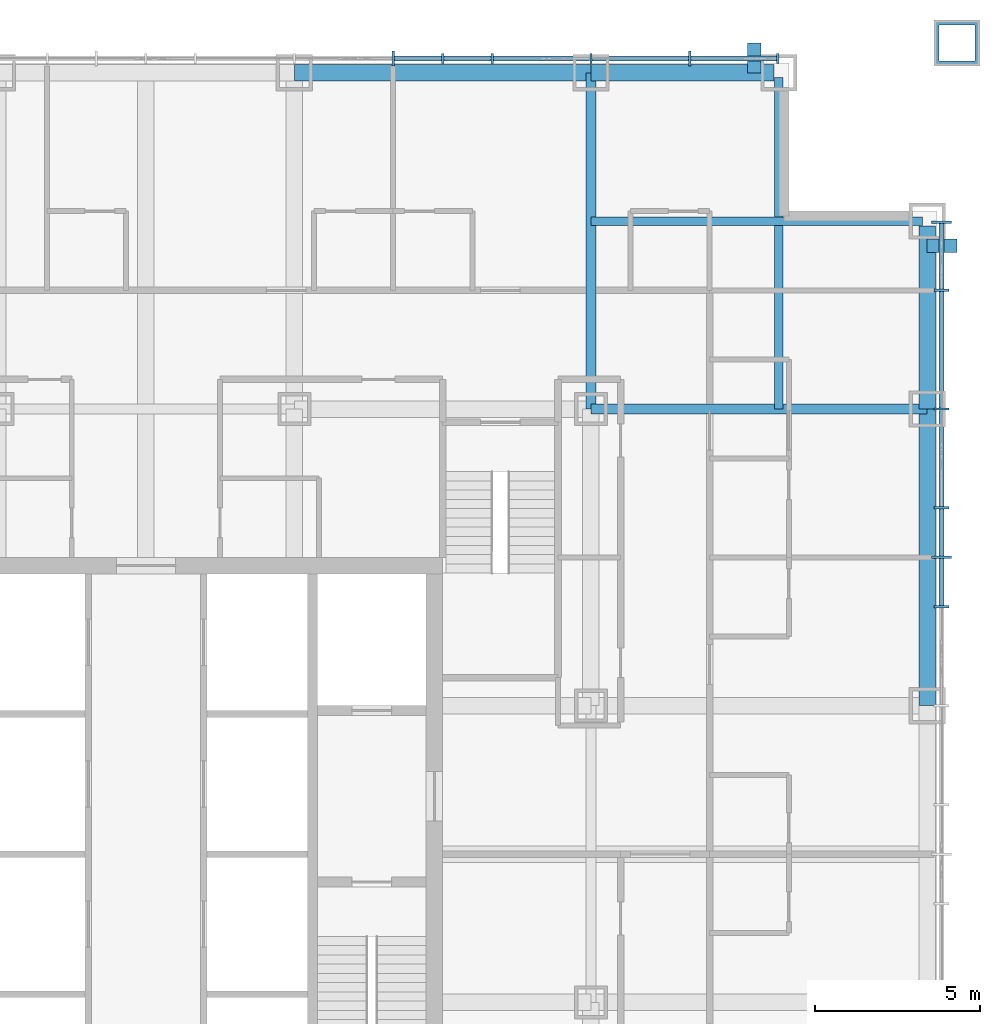
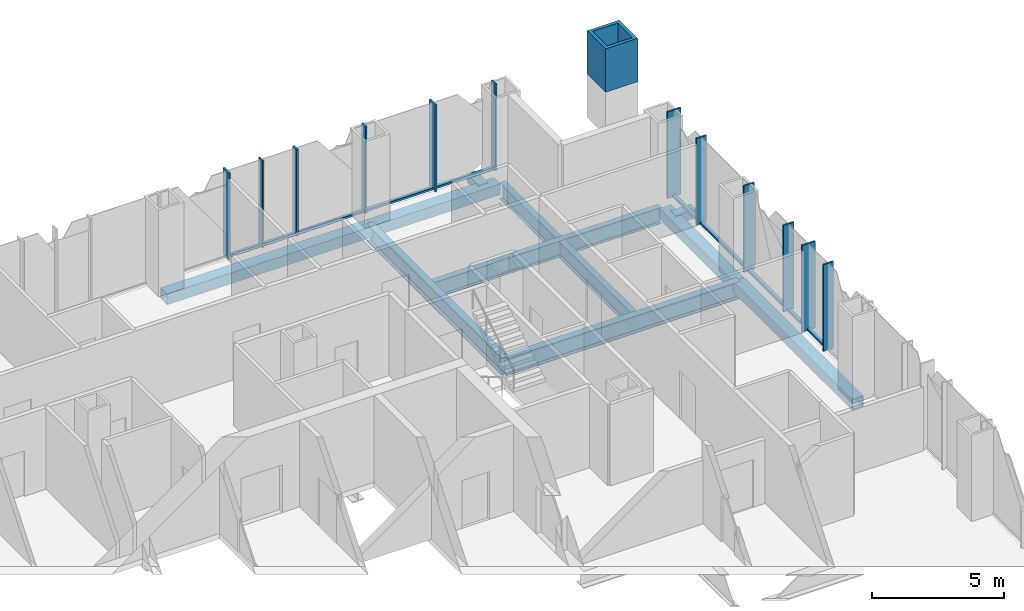
# One storey, part 6 of 23: 25 members, 8 beams, 2 elements without a shape of their own.
"""IFC4 building model written with IfcOpenShell, lengths in metres."""

from ifc_helpers import new_model, si_unit, direction, frame, origin, origin_2d, place, context, subcontext, project, spatial, rectangle, hollow_rectangle, i_section, extrude, material, layer, layer_set, material_profile, profile_set, type_object, element, aggregate, save


model = new_model("IFC4")

# Units and contexts
model_context = context("Model", 3, precision=1e-05, world=origin(), true_north=direction((0.0, 1.0)))
body_context = subcontext(model_context, "Body", "Model", "MODEL_VIEW")
ifc_project = project(units=[si_unit("LENGTHUNIT", "METRE"), si_unit("AREAUNIT", "SQUARE_METRE"), si_unit("VOLUMEUNIT", "CUBIC_METRE"), si_unit("PLANEANGLEUNIT", "RADIAN"), si_unit("MASSUNIT", "GRAM", prefix="KILO")], contexts=[model_context])

# Site, building, storey
site_placement = place(None, origin())
site = spatial("IfcSite", under=ifc_project, at=site_placement, CompositionType="ELEMENT")
building_placement = place(site_placement, origin())
building = spatial("IfcBuilding", under=site, at=building_placement, Name="Malebo Sky Hospital", CompositionType="ELEMENT")
storey_placement = place(building_placement, frame((0.0, 0.0, 168.0)))
storey = spatial("IfcBuildingStorey", under=building, at=storey_placement, Name="L40", CompositionType="ELEMENT", Elevation=168.0)

# Curtain wall, members
ifc_material_1 = material(Name="Anodised aluminium, natural silver", Category="aluminium")
ifc_layer_1 = layer(ifc_material_1, 0.25)
ifc_layer_set_1 = layer_set([ifc_layer_1], Name="WARD CURTAIN WALL NORTH AND SOUTH")
curtain_wall_type_1 = type_object("IfcCurtainWallType", Name="WARD CURTAIN WALL NORTH AND SOUTH", PredefinedType="NOTDEFINED", material=ifc_layer_set_1)
curtain_wall_1_placement = place(storey_placement, origin())
curtain_wall_1 = element("IfcCurtainWall", 1, at=curtain_wall_1_placement, inside=storey, type_object=curtain_wall_type_1, Name="NS curtain wall N", PredefinedType="NOTDEFINED")
ifc_material_profile_1 = material_profile(ifc_material_1, rectangle(XDim=0.14990234375, YDim=0.10009765625, at=origin_2d()), Name="ALUMINIUM TRANSOM 150x100")
ifc_profile_set_1 = profile_set([ifc_material_profile_1], Name="Anodised aluminium, natural silver")
member_type_1 = type_object("IfcMemberType", Name="ALUMINIUM TRANSOM 150x100", PredefinedType="USERDEFINED", material=ifc_profile_set_1)
member_1_placement = place(storey_placement, frame((67.53759765625, 86.135009765625, 0.050048828125), z_axis=(1.0, 0.0, 0.0), x_axis=(0.0, 1.0, 0.0)))
member_1 = element("IfcMember", 2, at=member_1_placement, type_object=member_type_1, Name="Transom 13", ObjectType="TRANSOM", PredefinedType="USERDEFINED", context=body_context, shape_type="SweptSolid", body=[
    extrude(rectangle(XDim=0.14990234375, YDim=0.10009765625, at=origin_2d()), origin(), (0.0, 0.0, 1.0), 1.4248046875),
])
member_2_placement = place(storey_placement, frame((69.03759765625, 86.135009765625, 0.050048828125), z_axis=(1.0, 0.0, 0.0), x_axis=(0.0, 1.0, 0.0)))
member_2 = element("IfcMember", 3, at=member_2_placement, type_object=member_type_1, Name="Transom 14", ObjectType="TRANSOM", PredefinedType="USERDEFINED", context=body_context, shape_type="SweptSolid", body=[
    extrude(rectangle(XDim=0.14990234375, YDim=0.10009765625, at=origin_2d()), origin(), (0.0, 0.0, 1.0), 1.4248046875),
])
member_3_placement = place(storey_placement, frame((70.53759765625, 86.135009765625, 0.050048828125), z_axis=(1.0, 0.0, 0.0), x_axis=(0.0, 1.0, 0.0)))
member_3 = element("IfcMember", 4, at=member_3_placement, type_object=member_type_1, Name="Transom 15", ObjectType="TRANSOM", PredefinedType="USERDEFINED", context=body_context, shape_type="SweptSolid", body=[
    extrude(rectangle(XDim=0.14990234375, YDim=0.10009765625, at=origin_2d()), origin(), (0.0, 0.0, 1.0), 2.9248046875),
])
member_4_placement = place(storey_placement, frame((73.53759765625, 86.135009765625, 0.050048828125), z_axis=(1.0, 0.0, 0.0), x_axis=(0.0, 1.0, 0.0)))
member_4 = element("IfcMember", 5, at=member_4_placement, type_object=member_type_1, Name="Transom 16", ObjectType="TRANSOM", PredefinedType="USERDEFINED", context=body_context, shape_type="SweptSolid", body=[
    extrude(rectangle(XDim=0.14990234375, YDim=0.10009765625, at=origin_2d()), origin(), (0.0, 0.0, 1.0), 2.9248046875),
])
member_5_placement = place(storey_placement, frame((76.53759765625, 86.135009765625, 0.050048828125), z_axis=(1.0, 0.0, 0.0), x_axis=(0.0, 1.0, 0.0)))
member_5 = element("IfcMember", 6, at=member_5_placement, type_object=member_type_1, Name="Transom 17", ObjectType="TRANSOM", PredefinedType="USERDEFINED", context=body_context, shape_type="SweptSolid", body=[
    extrude(rectangle(XDim=0.14990234375, YDim=0.10009765625, at=origin_2d()), origin(), (0.0, 0.0, 1.0), 2.58740234375),
])

ifc_layer_2 = layer(ifc_material_1, 0.25)
ifc_layer_set_2 = layer_set([ifc_layer_2], Name="WARD CURTAIN WALL EAST AND WEST")
curtain_wall_type_2 = type_object("IfcCurtainWallType", Name="WARD CURTAIN WALL EAST AND WEST", PredefinedType="NOTDEFINED", material=ifc_layer_set_2)
curtain_wall_2_placement = place(storey_placement, origin())
curtain_wall_2 = element("IfcCurtainWall", 7, at=curtain_wall_2_placement, inside=storey, type_object=curtain_wall_type_2, Name="EW curtain wall E", PredefinedType="NOTDEFINED")
member_6_placement = place(storey_placement, frame((84.135009765625, 81.125, 0.050048828125), z_axis=(0.0, -1.0, 0.0), x_axis=(1.0, 0.0, 0.0)))
member_6 = element("IfcMember", 8, at=member_6_placement, type_object=member_type_1, Name="Transom 1", ObjectType="TRANSOM", PredefinedType="USERDEFINED", context=body_context, shape_type="SweptSolid", body=[
    extrude(rectangle(XDim=0.14990234375, YDim=0.10009765625, at=origin_2d()), origin(), (0.0, 0.0, 1.0), 1.987548828125),
])
member_7_placement = place(storey_placement, frame((84.135009765625, 79.0625, 0.050048828125), z_axis=(0.0, -1.0, 0.0), x_axis=(1.0, 0.0, 0.0)))
member_7 = element("IfcMember", 9, at=member_7_placement, type_object=member_type_1, Name="Transom 2", ObjectType="TRANSOM", PredefinedType="USERDEFINED", context=body_context, shape_type="SweptSolid", body=[
    extrude(rectangle(XDim=0.14990234375, YDim=0.10009765625, at=origin_2d()), origin(), (0.0, 0.0, 1.0), 3.52490234375),
])
member_8_placement = place(storey_placement, frame((84.135009765625, 75.46240234375, 0.050048828125), z_axis=(0.0, -1.0, 0.0), x_axis=(1.0, 0.0, 0.0)))
member_8 = element("IfcMember", 10, at=member_8_placement, type_object=member_type_1, Name="Transom 3", ObjectType="TRANSOM", PredefinedType="USERDEFINED", context=body_context, shape_type="SweptSolid", body=[
    extrude(rectangle(XDim=0.14990234375, YDim=0.10009765625, at=origin_2d()), origin(), (0.0, 0.0, 1.0), 2.9248046875),
])
member_9_placement = place(storey_placement, frame((84.135009765625, 72.46240234375, 0.050048828125), z_axis=(0.0, -1.0, 0.0), x_axis=(1.0, 0.0, 0.0)))
member_9 = element("IfcMember", 11, at=member_9_placement, type_object=member_type_1, Name="Transom 4", ObjectType="TRANSOM", PredefinedType="USERDEFINED", context=body_context, shape_type="SweptSolid", body=[
    extrude(rectangle(XDim=0.14990234375, YDim=0.10009765625, at=origin_2d()), origin(), (0.0, 0.0, 1.0), 1.4248046875),
])
member_10_placement = place(storey_placement, frame((84.135009765625, 70.96240234375, 0.050048828125), z_axis=(0.0, -1.0, 0.0), x_axis=(1.0, 0.0, 0.0)))
member_10 = element("IfcMember", 12, at=member_10_placement, type_object=member_type_1, Name="Transom 5", ObjectType="TRANSOM", PredefinedType="USERDEFINED", context=body_context, shape_type="SweptSolid", body=[
    extrude(rectangle(XDim=0.14990234375, YDim=0.10009765625, at=origin_2d()), origin(), (0.0, 0.0, 1.0), 1.4248046875),
])

# Members
ifc_material_2 = material(Name="Steel S355", Category="steel")
ifc_material_profile_2 = material_profile(ifc_material_2, hollow_rectangle(XDim=0.39990234375, YDim=0.39990234375, WallThickness=0.02001953125, at=origin_2d()), Name="SHS 400x20")
ifc_profile_set_2 = profile_set([ifc_material_profile_2], Name="Steel S355")
member_type_2 = type_object("IfcMemberType", Name="BRACE STRUT SHS 400x20", PredefinedType="STRUT", material=ifc_profile_set_2)
for number, where, z_axis, x_axis, name in (
    (13, (78.449951171875, 86.60009765625, -0.39990234375), (0.0, -1.0, 0.0), (1.0, 0.0, 0.0), "Brace strut BN2 L40"),
    (14, (84.60009765625, 80.449951171875, -0.39990234375), (-1.0, 0.0, 0.0), (0.0, -1.0, 0.0), "Brace strut BE1 L40"),
):
    element("IfcMember", number, at=place(storey_placement, frame(where, z_axis=z_axis, x_axis=x_axis)), inside=storey, type_object=member_type_2, Name=name, PredefinedType="STRUT", context=body_context, shape_type="SweptSolid", body=[
        extrude(hollow_rectangle(XDim=0.39990234375, YDim=0.39990234375, WallThickness=0.02001953125, at=origin_2d()), origin(), (0.0, 0.0, 1.0), 0.900146484375),
    ])

# Member
ifc_material_profile_3 = material_profile(ifc_material_1, rectangle(XDim=0.074951171875, YDim=0.300048828125, at=origin_2d()), Name="CW1 ALUMINIUM FIN MULLION 75x300")
ifc_profile_set_3 = profile_set([ifc_material_profile_3], Name="Anodised aluminium, natural silver")
member_type_3 = type_object("IfcMemberType", Name="CW1 ALUMINIUM FIN MULLION 75x300", PredefinedType="MULLION", material=ifc_profile_set_3)
member_11_placement = place(storey_placement, frame((69.0, 86.135009765625, 0.0), z_axis=(0.0, 0.0, 1.0), x_axis=(1.0, 0.0, 0.0)))
member_11 = element("IfcMember", 15, at=member_11_placement, type_object=member_type_3, Name="Fin mullion 14", PredefinedType="MULLION", context=body_context, shape_type="SweptSolid", body=[
    extrude(rectangle(XDim=0.074951171875, YDim=0.300048828125, at=origin_2d()), origin(), (0.0, 0.0, 1.0), 4.0),
])

member_12_placement = place(storey_placement, frame((70.5, 86.135009765625, 0.0), z_axis=(0.0, 0.0, 1.0), x_axis=(1.0, 0.0, 0.0)))
member_12 = element("IfcMember", 16, at=member_12_placement, type_object=member_type_3, Name="Fin mullion 15", PredefinedType="MULLION", context=body_context, shape_type="SweptSolid", body=[
    extrude(rectangle(XDim=0.074951171875, YDim=0.300048828125, at=origin_2d()), origin(), (0.0, 0.0, 1.0), 4.0),
])

member_13_placement = place(storey_placement, frame((73.5, 86.135009765625, 0.0), z_axis=(0.0, 0.0, 1.0), x_axis=(1.0, 0.0, 0.0)))
member_13 = element("IfcMember", 17, at=member_13_placement, type_object=member_type_3, Name="Fin mullion 16", PredefinedType="MULLION", context=body_context, shape_type="SweptSolid", body=[
    extrude(rectangle(XDim=0.074951171875, YDim=0.300048828125, at=origin_2d()), origin(), (0.0, 0.0, 1.0), 4.0),
])

member_14_placement = place(storey_placement, frame((79.16259765625, 86.135009765625, 0.0), z_axis=(0.0, 0.0, 1.0), x_axis=(1.0, 0.0, 0.0)))
member_14 = element("IfcMember", 18, at=member_14_placement, type_object=member_type_3, Name="Fin mullion 18", PredefinedType="MULLION", context=body_context, shape_type="SweptSolid", body=[
    extrude(rectangle(XDim=0.074951171875, YDim=0.300048828125, at=origin_2d()), origin(), (0.0, 0.0, 1.0), 4.0),
])

ifc_material_profile_4 = material_profile(ifc_material_1, rectangle(XDim=0.074951171875, YDim=0.449951171875, at=origin_2d()), Name="CW1 ALUMINIUM FIN MULLION 75x450")
ifc_profile_set_4 = profile_set([ifc_material_profile_4], Name="Anodised aluminium, natural silver")
member_type_4 = type_object("IfcMemberType", Name="CW1 ALUMINIUM FIN MULLION 75x450", PredefinedType="MULLION", material=ifc_profile_set_4)
member_15_placement = place(storey_placement, frame((67.5, 86.135009765625, 0.0), z_axis=(0.0, 0.0, 1.0), x_axis=(1.0, 0.0, 0.0)))
member_15 = element("IfcMember", 19, at=member_15_placement, type_object=member_type_4, Name="Fin mullion 13", PredefinedType="MULLION", context=body_context, shape_type="SweptSolid", body=[
    extrude(rectangle(XDim=0.074951171875, YDim=0.449951171875, at=origin_2d()), origin(), (0.0, 0.0, 1.0), 4.0),
])

member_16_placement = place(storey_placement, frame((76.5, 86.135009765625, 0.0), z_axis=(0.0, 0.0, 1.0), x_axis=(1.0, 0.0, 0.0)))
member_16 = element("IfcMember", 20, at=member_16_placement, type_object=member_type_4, Name="Fin mullion 17", PredefinedType="MULLION", context=body_context, shape_type="SweptSolid", body=[
    extrude(rectangle(XDim=0.074951171875, YDim=0.449951171875, at=origin_2d()), origin(), (0.0, 0.0, 1.0), 4.0),
])

aggregate(curtain_wall_1, [member_15, member_11, member_12, member_13, member_16, member_14, member_1, member_2, member_3, member_4, member_5])

ifc_material_profile_5 = material_profile(ifc_material_1, rectangle(XDim=0.074951171875, YDim=0.449951171875, at=origin_2d()), Name="CW2 ALUMINIUM FIN MULLION 75x450")
ifc_profile_set_5 = profile_set([ifc_material_profile_5], Name="Anodised aluminium, natural silver")
member_type_5 = type_object("IfcMemberType", Name="CW2 ALUMINIUM FIN MULLION 75x450", PredefinedType="MULLION", material=ifc_profile_set_5)
member_17_placement = place(storey_placement, frame((84.135009765625, 79.10009765625, 0.0), z_axis=(0.0, 0.0, 1.0), x_axis=(0.0, -1.0, 0.0)))
member_17 = element("IfcMember", 21, at=member_17_placement, type_object=member_type_5, Name="Fin mullion 2", PredefinedType="MULLION", context=body_context, shape_type="SweptSolid", body=[
    extrude(rectangle(XDim=0.074951171875, YDim=0.449951171875, at=origin_2d()), origin(), (0.0, 0.0, 1.0), 4.0),
])

member_18_placement = place(storey_placement, frame((84.135009765625, 75.5, 0.0), z_axis=(0.0, 0.0, 1.0), x_axis=(0.0, -1.0, 0.0)))
member_18 = element("IfcMember", 22, at=member_18_placement, type_object=member_type_5, Name="Fin mullion 3", PredefinedType="MULLION", context=body_context, shape_type="SweptSolid", body=[
    extrude(rectangle(XDim=0.074951171875, YDim=0.449951171875, at=origin_2d()), origin(), (0.0, 0.0, 1.0), 4.0),
])

member_19_placement = place(storey_placement, frame((84.135009765625, 72.5, 0.0), z_axis=(0.0, 0.0, 1.0), x_axis=(0.0, -1.0, 0.0)))
member_19 = element("IfcMember", 23, at=member_19_placement, type_object=member_type_5, Name="Fin mullion 4", PredefinedType="MULLION", context=body_context, shape_type="SweptSolid", body=[
    extrude(rectangle(XDim=0.074951171875, YDim=0.449951171875, at=origin_2d()), origin(), (0.0, 0.0, 1.0), 4.0),
])

member_20_placement = place(storey_placement, frame((84.135009765625, 69.5, 0.0), z_axis=(0.0, 0.0, 1.0), x_axis=(0.0, -1.0, 0.0)))
member_20 = element("IfcMember", 24, at=member_20_placement, type_object=member_type_5, Name="Fin mullion 6", PredefinedType="MULLION", context=body_context, shape_type="SweptSolid", body=[
    extrude(rectangle(XDim=0.074951171875, YDim=0.449951171875, at=origin_2d()), origin(), (0.0, 0.0, 1.0), 4.0),
])

ifc_material_profile_6 = material_profile(ifc_material_1, rectangle(XDim=0.074951171875, YDim=0.60009765625, at=origin_2d()), Name="CW2 ALUMINIUM FIN MULLION 75x600")
ifc_profile_set_6 = profile_set([ifc_material_profile_6], Name="Anodised aluminium, natural silver")
member_type_6 = type_object("IfcMemberType", Name="CW2 ALUMINIUM FIN MULLION 75x600", PredefinedType="MULLION", material=ifc_profile_set_6)
member_21_placement = place(storey_placement, frame((84.135009765625, 81.16259765625, 0.0), z_axis=(0.0, 0.0, 1.0), x_axis=(0.0, -1.0, 0.0)))
member_21 = element("IfcMember", 25, at=member_21_placement, type_object=member_type_6, Name="Fin mullion 1", PredefinedType="MULLION", context=body_context, shape_type="SweptSolid", body=[
    extrude(rectangle(XDim=0.074951171875, YDim=0.60009765625, at=origin_2d()), origin(), (0.0, 0.0, 1.0), 4.0),
])

member_22_placement = place(storey_placement, frame((84.135009765625, 71.0, 0.0), z_axis=(0.0, 0.0, 1.0), x_axis=(0.0, -1.0, 0.0)))
member_22 = element("IfcMember", 26, at=member_22_placement, type_object=member_type_6, Name="Fin mullion 5", PredefinedType="MULLION", context=body_context, shape_type="SweptSolid", body=[
    extrude(rectangle(XDim=0.074951171875, YDim=0.60009765625, at=origin_2d()), origin(), (0.0, 0.0, 1.0), 4.0),
])

aggregate(curtain_wall_2, [member_21, member_17, member_18, member_19, member_22, member_20, member_6, member_7, member_8, member_9, member_10])

# Beams
ifc_material_3 = material(Name="Steel S460", Category="steel")
ifc_material_profile_7 = material_profile(ifc_material_3, hollow_rectangle(XDim=0.5, YDim=0.5, WallThickness=0.030029296875, at=origin_2d()), Name="BOX 500x500x30")
ifc_profile_set_7 = profile_set([ifc_material_profile_7], Name="Steel S460")
beam_type_1 = type_object("IfcBeamType", Name="EDGE BEAM BOX 500x500x30", PredefinedType="BEAM", material=ifc_profile_set_7)
beam_1_placement = place(storey_placement, frame((83.699951171875, 66.5, -0.5), z_axis=(0.0, 1.0, 0.0), x_axis=(-1.0, 0.0, 0.0)))
element("IfcBeam", 27, at=beam_1_placement, inside=storey, type_object=beam_type_1, Name="Beam 032 L40", PredefinedType="BEAM", context=body_context, shape_type="SweptSolid", body=[
    extrude(hollow_rectangle(XDim=0.5, YDim=0.5, WallThickness=0.030029296875, at=origin_2d()), origin(), (0.0, 0.0, 1.0), 9.0),
])
beam_2_placement = place(storey_placement, frame((83.699951171875, 75.5, -0.5), z_axis=(0.0, 1.0, 0.0), x_axis=(-1.0, 0.0, 0.0)))
element("IfcBeam", 28, at=beam_2_placement, inside=storey, type_object=beam_type_1, Name="Beam 033 L40", PredefinedType="BEAM", context=body_context, shape_type="SweptSolid", body=[
    extrude(hollow_rectangle(XDim=0.5, YDim=0.5, WallThickness=0.030029296875, at=origin_2d()), origin(), (0.0, 0.0, 1.0), 5.550048828125),
])
beam_3_placement = place(storey_placement, frame((64.5, 85.699951171875, -0.5), z_axis=(1.0, 0.0, 0.0), x_axis=(0.0, 1.0, 0.0)))
element("IfcBeam", 29, at=beam_3_placement, inside=storey, type_object=beam_type_1, Name="Beam 066 L40", PredefinedType="BEAM", context=body_context, shape_type="SweptSolid", body=[
    extrude(hollow_rectangle(XDim=0.5, YDim=0.5, WallThickness=0.030029296875, at=origin_2d()), origin(), (0.0, 0.0, 1.0), 9.0),
])
beam_4_placement = place(storey_placement, frame((73.5, 85.699951171875, -0.5), z_axis=(1.0, 0.0, 0.0), x_axis=(0.0, 1.0, 0.0)))
element("IfcBeam", 30, at=beam_4_placement, inside=storey, type_object=beam_type_1, Name="Beam 067 L40", PredefinedType="BEAM", context=body_context, shape_type="SweptSolid", body=[
    extrude(hollow_rectangle(XDim=0.5, YDim=0.5, WallThickness=0.030029296875, at=origin_2d()), origin(), (0.0, 0.0, 1.0), 5.550048828125),
])
ifc_material_profile_8 = material_profile(ifc_material_2, i_section(OverallWidth=0.262939453125, OverallDepth=0.7529296875, WebThickness=0.011474609375, FlangeThickness=0.01708984375, FilletRadius=0.01708984375, at=origin_2d()), Name="IPE 750x137")
ifc_profile_set_8 = profile_set([ifc_material_profile_8], Name="Steel S355")
beam_type_2 = type_object("IfcBeamType", Name="FLOOR BEAM IPE 750x137", PredefinedType="BEAM", material=ifc_profile_set_8)
for number, where, z_axis, x_axis, name in (
    (31, (79.199951171875, 75.5, -0.62646484375), (0.0, 1.0, 0.0), (-1.0, 0.0, 0.0), "Beam 028 L40"),
    (32, (73.5, 81.199951171875, -0.62646484375), (1.0, 0.0, 0.0), (0.0, 1.0, 0.0), "Beam 062 L40"),
):
    element("IfcBeam", number, at=place(storey_placement, frame(where, z_axis=z_axis, x_axis=x_axis)), inside=storey, type_object=beam_type_2, Name=name, PredefinedType="BEAM", context=body_context, shape_type="SweptSolid", body=[
        extrude(i_section(OverallWidth=0.262939453125, OverallDepth=0.7529296875, WebThickness=0.011474609375, FlangeThickness=0.01708984375, FilletRadius=0.01708984375, at=origin_2d()), origin(), (0.0, 0.0, 1.0), 10.050048828125),
    ])
ifc_material_profile_9 = material_profile(ifc_material_2, i_section(OverallWidth=0.300048828125, OverallDepth=0.800048828125, WebThickness=0.017578125, FlangeThickness=0.032958984375, FilletRadius=0.030029296875, at=origin_2d()), Name="HEB 800")
ifc_profile_set_9 = profile_set([ifc_material_profile_9], Name="Steel S355")
beam_type_3 = type_object("IfcBeamType", Name="FLOOR GIRDER HEB 800", PredefinedType="BEAM", material=ifc_profile_set_9)
for number, where, z_axis, x_axis, name in (
    (33, (73.5, 75.5, -0.64990234375), (0.0, 1.0, 0.0), (-1.0, 0.0, 0.0), "Beam 026 L40"),
    (34, (73.5, 75.5, -0.64990234375), (1.0, 0.0, 0.0), (0.0, 1.0, 0.0), "Beam 060 L40"),
):
    element("IfcBeam", number, at=place(storey_placement, frame(where, z_axis=z_axis, x_axis=x_axis)), inside=storey, type_object=beam_type_3, Name=name, PredefinedType="BEAM", context=body_context, shape_type="SweptSolid", body=[
        extrude(i_section(OverallWidth=0.300048828125, OverallDepth=0.800048828125, WebThickness=0.017578125, FlangeThickness=0.032958984375, FilletRadius=0.030029296875, at=origin_2d()), origin(), (0.0, 0.0, 1.0), 10.199951171875),
    ])

# Member
ifc_material_profile_10 = material_profile(ifc_material_3, hollow_rectangle(XDim=1.39990234375, YDim=1.39990234375, WallThickness=0.14990234375, at=origin_2d()), Name="BOX 1400x1400x150")
ifc_profile_set_10 = profile_set([ifc_material_profile_10], Name="Steel S460")
member_type_7 = type_object("IfcMemberType", Name="MEGA COLUMN NODE BOX 1400x1400x150", PredefinedType="MEMBER", material=ifc_profile_set_10)
member_23_placement = place(storey_placement, frame((84.60009765625, 86.60009765625, 2.0), z_axis=(0.0, 0.0, 1.0), x_axis=(1.0, 0.0, 0.0)))
element("IfcMember", 35, at=member_23_placement, inside=storey, type_object=member_type_7, Name="Mega column node NE L40", PredefinedType="MEMBER", context=body_context, shape_type="SweptSolid", body=[
    extrude(hollow_rectangle(XDim=1.39990234375, YDim=1.39990234375, WallThickness=0.14990234375, at=origin_2d()), origin(), (0.0, 0.0, 1.0), 2.0),
])

save(model, "model.ifc")
